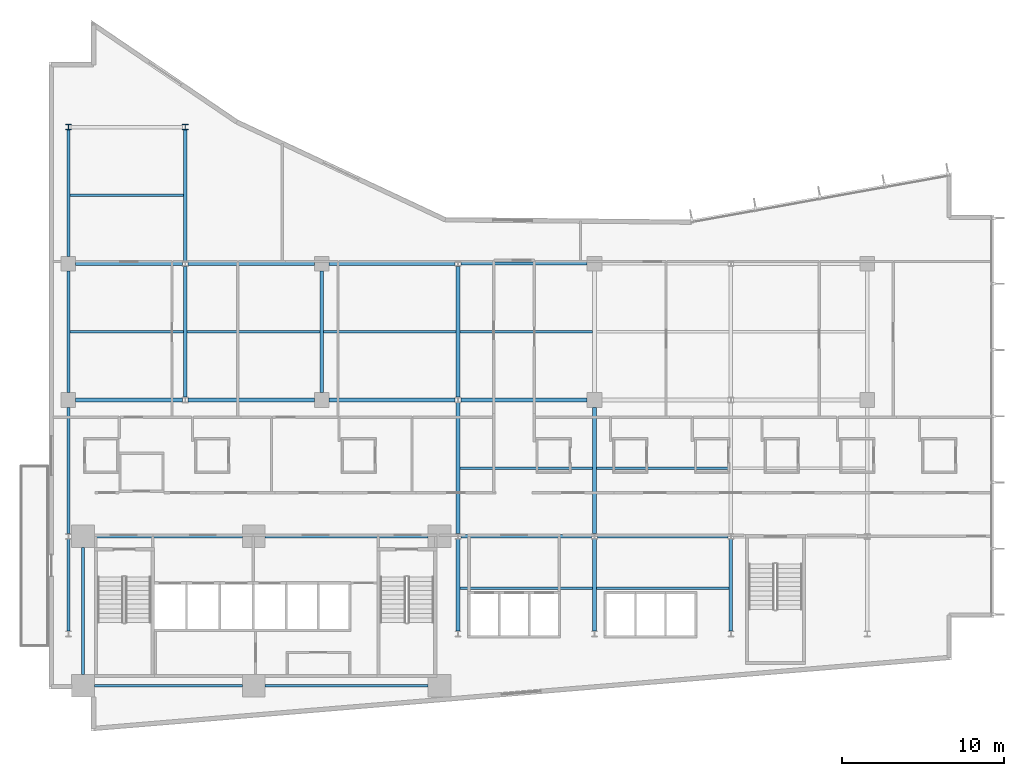
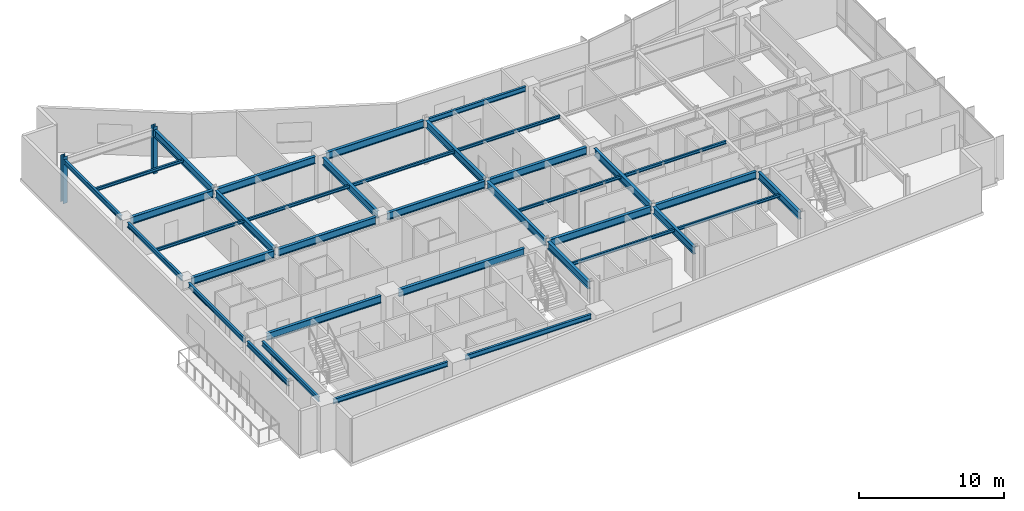
# One storey, part 3 of 20: 37 beams, 2 columns.
"""IFC4 building model written with IfcOpenShell, lengths in metres."""

from ifc_helpers import new_model, si_unit, direction, frame, origin, origin_2d, place, context, subcontext, project, spatial, i_section, extrude, material, material_profile, profile_set, type_object, element, save


model = new_model("IFC4")

# Units and contexts
model_context = context("Model", 3, precision=1e-05, world=origin(), true_north=direction((0.0, 1.0)))
body_context = subcontext(model_context, "Body", "Model", "MODEL_VIEW")
ifc_project = project(units=[si_unit("LENGTHUNIT", "METRE"), si_unit("AREAUNIT", "SQUARE_METRE"), si_unit("VOLUMEUNIT", "CUBIC_METRE"), si_unit("PLANEANGLEUNIT", "RADIAN"), si_unit("MASSUNIT", "GRAM", prefix="KILO")], contexts=[model_context])

# Site, building, storey
site_placement = place(None, origin())
site = spatial("IfcSite", under=ifc_project, at=site_placement, CompositionType="ELEMENT")
building_placement = place(site_placement, origin())
building = spatial("IfcBuilding", under=site, at=building_placement, Name="Varnakote Quay Hospital", CompositionType="ELEMENT")
storey_placement = place(building_placement, frame((0.0, 0.0, 58.050048828125)))
storey = spatial("IfcBuildingStorey", under=building, at=storey_placement, Name="L14", CompositionType="ELEMENT", Elevation=58.050048828125)

# Columns
ifc_material_1 = material(Name="Structural steel AS/NZS 3678 Grade 350 (fy 340 MPa)", Category="steel")
ifc_material_profile_1 = material_profile(ifc_material_1, i_section(OverallWidth=0.35009765625, OverallDepth=0.340087890625, WebThickness=0.01611328125, FlangeThickness=0.028076171875, at=origin_2d()), Name="350WC197")
ifc_profile_set_1 = profile_set([ifc_material_profile_1], Name="Structural steel AS/NZS 3678 Grade 350 (fy 340 MPa)")
column_type = type_object("IfcColumnType", Name="COL-STL-350WC197", PredefinedType="COLUMN", material=ifc_profile_set_1)
for number, where, z_axis, x_axis, name in (
    (1, (1.199951171875, 37.199951171875, 0.0), (0.0, 0.0, 1.0), (1.0, 0.0, 0.0), "L14 Structural Column C-1-37"),
    (2, (8.39990234375, 37.199951171875, 0.0), (0.0, 0.0, 1.0), (1.0, 0.0, 0.0), "L14 Structural Column C-8-37"),
):
    element("IfcColumn", number, at=place(storey_placement, frame(where, z_axis=z_axis, x_axis=x_axis)), inside=storey, type_object=column_type, Name=name, PredefinedType="COLUMN", context=body_context, shape_type="SweptSolid", body=[
        extrude(i_section(OverallWidth=0.35009765625, OverallDepth=0.340087890625, WebThickness=0.01611328125, FlangeThickness=0.028076171875, at=origin_2d()), origin(), (0.0, 0.0, 1.0), 3.949951171875),
    ])

# Beams
ifc_material_2 = material(Name="Structural steel AS/NZS 3679.1 Grade 350 L0 (fy 340 MPa)", Category="steel")
ifc_material_profile_2 = material_profile(ifc_material_2, i_section(OverallWidth=0.22900390625, OverallDepth=0.612060546875, WebThickness=0.011962890625, FlangeThickness=0.01953125, FilletRadius=0.013916015625, at=origin_2d()), Name="610UB125")
ifc_profile_set_2 = profile_set([ifc_material_profile_2], Name="Structural steel AS/NZS 3679.1 Grade 350 L0 (fy 340 MPa)")
beam_type_1 = type_object("IfcBeamType", Name="BM-STL-610UB125", PredefinedType="BEAM", material=ifc_profile_set_2)
beam_1_placement = place(storey_placement, frame((2.800048828125, 12.0, 3.404052734375), z_axis=(1.0, 0.0, 0.0), x_axis=(0.0, 1.0, 0.0)))
element("IfcBeam", 3, at=beam_1_placement, inside=storey, type_object=beam_type_1, Name="L14 Primary Floor Beam", PredefinedType="BEAM", context=body_context, shape_type="SweptSolid", body=[
    extrude(i_section(OverallWidth=0.22900390625, OverallDepth=0.612060546875, WebThickness=0.011962890625, FlangeThickness=0.01953125, FilletRadius=0.013916015625, at=origin_2d()), origin(), (0.0, 0.0, 1.0), 9.119873046875),
])
beam_2_placement = place(storey_placement, frame((13.320068359375, 12.0, 3.404052734375), z_axis=(1.0, 0.0, 0.0), x_axis=(0.0, 1.0, 0.0)))
element("IfcBeam", 4, at=beam_2_placement, inside=storey, type_object=beam_type_1, Name="L14 Primary Floor Beam", PredefinedType="BEAM", context=body_context, shape_type="SweptSolid", body=[
    extrude(i_section(OverallWidth=0.22900390625, OverallDepth=0.612060546875, WebThickness=0.011962890625, FlangeThickness=0.01953125, FilletRadius=0.013916015625, at=origin_2d()), origin(), (0.0, 0.0, 1.0), 10.030029296875),
])
for number, where, z_axis, x_axis, name in (
    (5, (25.375, 12.0, 3.404052734375), (1.0, 0.0, 0.0), (0.0, 1.0, 0.0), "L14 Primary Floor Beam"),
    (6, (33.77490234375, 12.0, 3.404052734375), (1.0, 0.0, 0.0), (0.0, 1.0, 0.0), "L14 Primary Floor Beam"),
):
    element("IfcBeam", number, at=place(storey_placement, frame(where, z_axis=z_axis, x_axis=x_axis)), inside=storey, type_object=beam_type_1, Name=name, PredefinedType="BEAM", context=body_context, shape_type="SweptSolid", body=[
        extrude(i_section(OverallWidth=0.22900390625, OverallDepth=0.612060546875, WebThickness=0.011962890625, FlangeThickness=0.01953125, FilletRadius=0.013916015625, at=origin_2d()), origin(), (0.0, 0.0, 1.0), 8.050048828125),
    ])
beam_3_placement = place(storey_placement, frame((1.64990234375, 20.39990234375, 3.404052734375), z_axis=(1.0, 0.0, 0.0), x_axis=(0.0, 1.0, 0.0)))
element("IfcBeam", 7, at=beam_3_placement, inside=storey, type_object=beam_type_1, Name="L14 Primary Floor Beam", PredefinedType="BEAM", context=body_context, shape_type="SweptSolid", body=[
    extrude(i_section(OverallWidth=0.22900390625, OverallDepth=0.612060546875, WebThickness=0.011962890625, FlangeThickness=0.01953125, FilletRadius=0.013916015625, at=origin_2d()), origin(), (0.0, 0.0, 1.0), 6.5751953125),
])
beam_4_placement = place(storey_placement, frame((8.574951171875, 20.39990234375, 3.404052734375), z_axis=(1.0, 0.0, 0.0), x_axis=(0.0, 1.0, 0.0)))
element("IfcBeam", 8, at=beam_4_placement, inside=storey, type_object=beam_type_1, Name="L14 Primary Floor Beam", PredefinedType="BEAM", context=body_context, shape_type="SweptSolid", body=[
    extrude(i_section(OverallWidth=0.22900390625, OverallDepth=0.612060546875, WebThickness=0.011962890625, FlangeThickness=0.01953125, FilletRadius=0.013916015625, at=origin_2d()), origin(), (0.0, 0.0, 1.0), 7.775146484375),
])
for number, where, z_axis, x_axis, name in (
    (9, (17.25, 20.39990234375, 3.404052734375), (1.0, 0.0, 0.0), (0.0, 1.0, 0.0), "L14 Primary Floor Beam"),
    (10, (25.375, 20.39990234375, 3.404052734375), (1.0, 0.0, 0.0), (0.0, 1.0, 0.0), "L14 Primary Floor Beam"),
):
    element("IfcBeam", number, at=place(storey_placement, frame(where, z_axis=z_axis, x_axis=x_axis)), inside=storey, type_object=beam_type_1, Name=name, PredefinedType="BEAM", context=body_context, shape_type="SweptSolid", body=[
        extrude(i_section(OverallWidth=0.22900390625, OverallDepth=0.612060546875, WebThickness=0.011962890625, FlangeThickness=0.01953125, FilletRadius=0.013916015625, at=origin_2d()), origin(), (0.0, 0.0, 1.0), 7.77490234375),
    ])
beam_5_placement = place(storey_placement, frame((1.64990234375, 28.800048828125, 3.404052734375), z_axis=(1.0, 0.0, 0.0), x_axis=(0.0, 1.0, 0.0)))
element("IfcBeam", 11, at=beam_5_placement, inside=storey, type_object=beam_type_1, Name="L14 Primary Floor Beam", PredefinedType="BEAM", context=body_context, shape_type="SweptSolid", body=[
    extrude(i_section(OverallWidth=0.22900390625, OverallDepth=0.612060546875, WebThickness=0.011962890625, FlangeThickness=0.01953125, FilletRadius=0.013916015625, at=origin_2d()), origin(), (0.0, 0.0, 1.0), 6.5751953125),
])
beam_6_placement = place(storey_placement, frame((8.574951171875, 28.800048828125, 3.404052734375), z_axis=(1.0, 0.0, 0.0), x_axis=(0.0, 1.0, 0.0)))
element("IfcBeam", 12, at=beam_6_placement, inside=storey, type_object=beam_type_1, Name="L14 Primary Floor Beam", PredefinedType="BEAM", context=body_context, shape_type="SweptSolid", body=[
    extrude(i_section(OverallWidth=0.22900390625, OverallDepth=0.612060546875, WebThickness=0.011962890625, FlangeThickness=0.01953125, FilletRadius=0.013916015625, at=origin_2d()), origin(), (0.0, 0.0, 1.0), 7.775146484375),
])
beam_7_placement = place(storey_placement, frame((17.25, 28.800048828125, 3.404052734375), z_axis=(1.0, 0.0, 0.0), x_axis=(0.0, 1.0, 0.0)))
element("IfcBeam", 13, at=beam_7_placement, inside=storey, type_object=beam_type_1, Name="L14 Primary Floor Beam", PredefinedType="BEAM", context=body_context, shape_type="SweptSolid", body=[
    extrude(i_section(OverallWidth=0.22900390625, OverallDepth=0.612060546875, WebThickness=0.011962890625, FlangeThickness=0.01953125, FilletRadius=0.013916015625, at=origin_2d()), origin(), (0.0, 0.0, 1.0), 7.77490234375),
])
beam_8_placement = place(storey_placement, frame((8.39990234375, 20.570068359375, 3.404052734375), z_axis=(0.0, 1.0, 0.0), x_axis=(-1.0, 0.0, 0.0)))
element("IfcBeam", 14, at=beam_8_placement, inside=storey, type_object=beam_type_1, Name="L14 Primary Tie Beam", PredefinedType="BEAM", context=body_context, shape_type="SweptSolid", body=[
    extrude(i_section(OverallWidth=0.22900390625, OverallDepth=0.612060546875, WebThickness=0.011962890625, FlangeThickness=0.01953125, FilletRadius=0.013916015625, at=origin_2d()), origin(), (0.0, 0.0, 1.0), 8.059814453125),
])
beam_9_placement = place(storey_placement, frame((8.39990234375, 28.969970703125, 3.404052734375), z_axis=(0.0, 1.0, 0.0), x_axis=(-1.0, 0.0, 0.0)))
element("IfcBeam", 15, at=beam_9_placement, inside=storey, type_object=beam_type_1, Name="L14 Primary Tie Beam", PredefinedType="BEAM", context=body_context, shape_type="SweptSolid", body=[
    extrude(i_section(OverallWidth=0.22900390625, OverallDepth=0.612060546875, WebThickness=0.011962890625, FlangeThickness=0.01953125, FilletRadius=0.013916015625, at=origin_2d()), origin(), (0.0, 0.0, 1.0), 8.06005859375),
])
beam_10_placement = place(storey_placement, frame((16.800048828125, 20.85009765625, 3.404052734375), z_axis=(0.0, 1.0, 0.0), x_axis=(-1.0, 0.0, 0.0)))
element("IfcBeam", 16, at=beam_10_placement, inside=storey, type_object=beam_type_1, Name="L14 Primary Tie Beam", PredefinedType="BEAM", context=body_context, shape_type="SweptSolid", body=[
    extrude(i_section(OverallWidth=0.22900390625, OverallDepth=0.612060546875, WebThickness=0.011962890625, FlangeThickness=0.01953125, FilletRadius=0.013916015625, at=origin_2d()), origin(), (0.0, 0.0, 1.0), 7.5),
])
beam_11_placement = place(storey_placement, frame((25.199951171875, 6.169921875, 3.404052734375), z_axis=(0.0, 1.0, 0.0), x_axis=(-1.0, 0.0, 0.0)))
element("IfcBeam", 17, at=beam_11_placement, inside=storey, type_object=beam_type_1, Name="L14 Primary Tie Beam", PredefinedType="BEAM", context=body_context, shape_type="SweptSolid", body=[
    extrude(i_section(OverallWidth=0.22900390625, OverallDepth=0.612060546875, WebThickness=0.011962890625, FlangeThickness=0.01953125, FilletRadius=0.013916015625, at=origin_2d()), origin(), (0.0, 0.0, 1.0), 5.66015625),
])
beam_12_placement = place(storey_placement, frame((25.199951171875, 12.169921875, 3.404052734375), z_axis=(0.0, 1.0, 0.0), x_axis=(-1.0, 0.0, 0.0)))
element("IfcBeam", 18, at=beam_12_placement, inside=storey, type_object=beam_type_1, Name="L14 Primary Tie Beam", PredefinedType="BEAM", context=body_context, shape_type="SweptSolid", body=[
    extrude(i_section(OverallWidth=0.22900390625, OverallDepth=0.612060546875, WebThickness=0.011962890625, FlangeThickness=0.01953125, FilletRadius=0.013916015625, at=origin_2d()), origin(), (0.0, 0.0, 1.0), 8.06005859375),
])
beam_13_placement = place(storey_placement, frame((25.199951171875, 20.570068359375, 3.404052734375), z_axis=(0.0, 1.0, 0.0), x_axis=(-1.0, 0.0, 0.0)))
element("IfcBeam", 19, at=beam_13_placement, inside=storey, type_object=beam_type_1, Name="L14 Primary Tie Beam", PredefinedType="BEAM", context=body_context, shape_type="SweptSolid", body=[
    extrude(i_section(OverallWidth=0.22900390625, OverallDepth=0.612060546875, WebThickness=0.011962890625, FlangeThickness=0.01953125, FilletRadius=0.013916015625, at=origin_2d()), origin(), (0.0, 0.0, 1.0), 8.059814453125),
])
beam_14_placement = place(storey_placement, frame((33.60009765625, 6.169921875, 3.404052734375), z_axis=(0.0, 1.0, 0.0), x_axis=(-1.0, 0.0, 0.0)))
element("IfcBeam", 20, at=beam_14_placement, inside=storey, type_object=beam_type_1, Name="L14 Primary Tie Beam", PredefinedType="BEAM", context=body_context, shape_type="SweptSolid", body=[
    extrude(i_section(OverallWidth=0.22900390625, OverallDepth=0.612060546875, WebThickness=0.011962890625, FlangeThickness=0.01953125, FilletRadius=0.013916015625, at=origin_2d()), origin(), (0.0, 0.0, 1.0), 5.66015625),
])
beam_15_placement = place(storey_placement, frame((33.60009765625, 12.169921875, 3.404052734375), z_axis=(0.0, 1.0, 0.0), x_axis=(-1.0, 0.0, 0.0)))
element("IfcBeam", 21, at=beam_15_placement, inside=storey, type_object=beam_type_1, Name="L14 Primary Tie Beam", PredefinedType="BEAM", context=body_context, shape_type="SweptSolid", body=[
    extrude(i_section(OverallWidth=0.22900390625, OverallDepth=0.612060546875, WebThickness=0.011962890625, FlangeThickness=0.01953125, FilletRadius=0.013916015625, at=origin_2d()), origin(), (0.0, 0.0, 1.0), 7.780029296875),
])
beam_16_placement = place(storey_placement, frame((42.0, 6.169921875, 3.404052734375), z_axis=(0.0, 1.0, 0.0), x_axis=(-1.0, 0.0, 0.0)))
element("IfcBeam", 22, at=beam_16_placement, inside=storey, type_object=beam_type_1, Name="L14 Primary Tie Beam", PredefinedType="BEAM", context=body_context, shape_type="SweptSolid", body=[
    extrude(i_section(OverallWidth=0.22900390625, OverallDepth=0.612060546875, WebThickness=0.011962890625, FlangeThickness=0.01953125, FilletRadius=0.013916015625, at=origin_2d()), origin(), (0.0, 0.0, 1.0), 5.66015625),
])
ifc_material_3 = material(Name="Structural steel AS/NZS 3679.1 Grade 350 L0 (fy 340 MPa)", Category="steel")
ifc_material_profile_3 = material_profile(ifc_material_3, i_section(OverallWidth=0.14599609375, OverallDepth=0.256103515625, WebThickness=0.00634765625, FlangeThickness=0.010986328125, FilletRadius=0.0087890625, at=origin_2d()), Name="250UB37.3")
ifc_profile_set_3 = profile_set([ifc_material_profile_3], Name="Structural steel AS/NZS 3679.1 Grade 350 L0 (fy 340 MPa)")
beam_type_2 = type_object("IfcBeamType", Name="JST-STL-250UB37-3", PredefinedType="JOIST", material=ifc_profile_set_3)
beam_17_placement = place(storey_placement, frame((25.314453125, 8.800048828125, 3.58203125), z_axis=(1.0, 0.0, 0.0), x_axis=(0.0, 1.0, 0.0)))
element("IfcBeam", 23, at=beam_17_placement, inside=storey, type_object=beam_type_2, Name="L14 Composite Floor Joist", PredefinedType="JOIST", context=body_context, shape_type="SweptSolid", body=[
    extrude(i_section(OverallWidth=0.14599609375, OverallDepth=0.256103515625, WebThickness=0.00634765625, FlangeThickness=0.010986328125, FilletRadius=0.0087890625, at=origin_2d()), origin(), (0.0, 0.0, 1.0), 8.171142578125),
])
beam_18_placement = place(storey_placement, frame((33.714599609375, 8.800048828125, 3.58203125), z_axis=(1.0, 0.0, 0.0), x_axis=(0.0, 1.0, 0.0)))
element("IfcBeam", 24, at=beam_18_placement, inside=storey, type_object=beam_type_2, Name="L14 Composite Floor Joist", PredefinedType="JOIST", context=body_context, shape_type="SweptSolid", body=[
    extrude(i_section(OverallWidth=0.14599609375, OverallDepth=0.256103515625, WebThickness=0.00634765625, FlangeThickness=0.010986328125, FilletRadius=0.0087890625, at=origin_2d()), origin(), (0.0, 0.0, 1.0), 8.1708984375),
])
beam_19_placement = place(storey_placement, frame((25.314453125, 16.199951171875, 3.58203125), z_axis=(1.0, 0.0, 0.0), x_axis=(0.0, 1.0, 0.0)))
element("IfcBeam", 25, at=beam_19_placement, inside=storey, type_object=beam_type_2, Name="L14 Composite Floor Joist", PredefinedType="JOIST", context=body_context, shape_type="SweptSolid", body=[
    extrude(i_section(OverallWidth=0.14599609375, OverallDepth=0.256103515625, WebThickness=0.00634765625, FlangeThickness=0.010986328125, FilletRadius=0.0087890625, at=origin_2d()), origin(), (0.0, 0.0, 1.0), 8.171142578125),
])
beam_20_placement = place(storey_placement, frame((33.714599609375, 16.199951171875, 3.58203125), z_axis=(1.0, 0.0, 0.0), x_axis=(0.0, 1.0, 0.0)))
element("IfcBeam", 26, at=beam_20_placement, inside=storey, type_object=beam_type_2, Name="L14 Composite Floor Joist", PredefinedType="JOIST", context=body_context, shape_type="SweptSolid", body=[
    extrude(i_section(OverallWidth=0.14599609375, OverallDepth=0.256103515625, WebThickness=0.00634765625, FlangeThickness=0.010986328125, FilletRadius=0.0087890625, at=origin_2d()), origin(), (0.0, 0.0, 1.0), 8.1708984375),
])
beam_21_placement = place(storey_placement, frame((1.2890625, 24.60009765625, 3.58203125), z_axis=(1.0, 0.0, 0.0), x_axis=(0.0, 1.0, 0.0)))
element("IfcBeam", 27, at=beam_21_placement, inside=storey, type_object=beam_type_2, Name="L14 Composite Floor Joist", PredefinedType="JOIST", context=body_context, shape_type="SweptSolid", body=[
    extrude(i_section(OverallWidth=0.14599609375, OverallDepth=0.256103515625, WebThickness=0.00634765625, FlangeThickness=0.010986328125, FilletRadius=0.0087890625, at=origin_2d()), origin(), (0.0, 0.0, 1.0), 6.996337890625),
])
beam_22_placement = place(storey_placement, frame((8.514404296875, 24.60009765625, 3.58203125), z_axis=(1.0, 0.0, 0.0), x_axis=(0.0, 1.0, 0.0)))
element("IfcBeam", 28, at=beam_22_placement, inside=storey, type_object=beam_type_2, Name="L14 Composite Floor Joist", PredefinedType="JOIST", context=body_context, shape_type="SweptSolid", body=[
    extrude(i_section(OverallWidth=0.14599609375, OverallDepth=0.256103515625, WebThickness=0.00634765625, FlangeThickness=0.010986328125, FilletRadius=0.0087890625, at=origin_2d()), origin(), (0.0, 0.0, 1.0), 8.171142578125),
])
beam_23_placement = place(storey_placement, frame((16.91455078125, 24.60009765625, 3.58203125), z_axis=(1.0, 0.0, 0.0), x_axis=(0.0, 1.0, 0.0)))
element("IfcBeam", 29, at=beam_23_placement, inside=storey, type_object=beam_type_2, Name="L14 Composite Floor Joist", PredefinedType="JOIST", context=body_context, shape_type="SweptSolid", body=[
    extrude(i_section(OverallWidth=0.14599609375, OverallDepth=0.256103515625, WebThickness=0.00634765625, FlangeThickness=0.010986328125, FilletRadius=0.0087890625, at=origin_2d()), origin(), (0.0, 0.0, 1.0), 8.1708984375),
])
beam_24_placement = place(storey_placement, frame((25.314453125, 24.60009765625, 3.58203125), z_axis=(1.0, 0.0, 0.0), x_axis=(0.0, 1.0, 0.0)))
element("IfcBeam", 30, at=beam_24_placement, inside=storey, type_object=beam_type_2, Name="L14 Composite Floor Joist", PredefinedType="JOIST", context=body_context, shape_type="SweptSolid", body=[
    extrude(i_section(OverallWidth=0.14599609375, OverallDepth=0.256103515625, WebThickness=0.00634765625, FlangeThickness=0.010986328125, FilletRadius=0.0087890625, at=origin_2d()), origin(), (0.0, 0.0, 1.0), 8.171142578125),
])
beam_25_placement = place(storey_placement, frame((1.2890625, 33.0, 3.58203125), z_axis=(1.0, 0.0, 0.0), x_axis=(0.0, 1.0, 0.0)))
element("IfcBeam", 31, at=beam_25_placement, inside=storey, type_object=beam_type_2, Name="L14 Composite Floor Joist", PredefinedType="JOIST", context=body_context, shape_type="SweptSolid", body=[
    extrude(i_section(OverallWidth=0.14599609375, OverallDepth=0.256103515625, WebThickness=0.00634765625, FlangeThickness=0.010986328125, FilletRadius=0.0087890625, at=origin_2d()), origin(), (0.0, 0.0, 1.0), 6.996337890625),
])
ifc_material_4 = material(Name="Structural steel AS/NZS 3679.1 Grade 350 L0 (fy 340 MPa)", Category="steel")
ifc_material_profile_4 = material_profile(ifc_material_4, i_section(OverallWidth=0.177978515625, OverallDepth=0.403076171875, WebThickness=0.007568359375, FlangeThickness=0.010986328125, FilletRadius=0.011474609375, at=origin_2d()), Name="410UB53.7")
ifc_profile_set_4 = profile_set([ifc_material_profile_4], Name="Structural steel AS/NZS 3679.1 Grade 350 L0 (fy 340 MPa)")
beam_type_3 = type_object("IfcBeamType", Name="SPN-STL-410UB53-7", PredefinedType="SPANDREL", material=ifc_profile_set_4)
beam_26_placement = place(storey_placement, frame((1.199951171875, 6.169921875, 3.508544921875), z_axis=(0.0, 1.0, 0.0), x_axis=(-1.0, 0.0, 0.0)))
element("IfcBeam", 32, at=beam_26_placement, inside=storey, type_object=beam_type_3, Name="L14 Perimeter Spandrel Beam", PredefinedType="SPANDREL", context=body_context, shape_type="SweptSolid", body=[
    extrude(i_section(OverallWidth=0.177978515625, OverallDepth=0.403076171875, WebThickness=0.007568359375, FlangeThickness=0.010986328125, FilletRadius=0.011474609375, at=origin_2d()), origin(), (0.0, 0.0, 1.0), 5.66015625),
])
beam_27_placement = place(storey_placement, frame((1.199951171875, 12.169921875, 3.508544921875), z_axis=(0.0, 1.0, 0.0), x_axis=(-1.0, 0.0, 0.0)))
element("IfcBeam", 33, at=beam_27_placement, inside=storey, type_object=beam_type_3, Name="L14 Perimeter Spandrel Beam", PredefinedType="SPANDREL", context=body_context, shape_type="SweptSolid", body=[
    extrude(i_section(OverallWidth=0.177978515625, OverallDepth=0.403076171875, WebThickness=0.007568359375, FlangeThickness=0.010986328125, FilletRadius=0.011474609375, at=origin_2d()), origin(), (0.0, 0.0, 1.0), 7.780029296875),
])
beam_28_placement = place(storey_placement, frame((1.199951171875, 20.85009765625, 3.508544921875), z_axis=(0.0, 1.0, 0.0), x_axis=(-1.0, 0.0, 0.0)))
element("IfcBeam", 34, at=beam_28_placement, inside=storey, type_object=beam_type_3, Name="L14 Perimeter Spandrel Beam", PredefinedType="SPANDREL", context=body_context, shape_type="SweptSolid", body=[
    extrude(i_section(OverallWidth=0.177978515625, OverallDepth=0.403076171875, WebThickness=0.007568359375, FlangeThickness=0.010986328125, FilletRadius=0.011474609375, at=origin_2d()), origin(), (0.0, 0.0, 1.0), 7.5),
])
beam_29_placement = place(storey_placement, frame((1.199951171875, 29.25, 3.508544921875), z_axis=(0.0, 1.0, 0.0), x_axis=(-1.0, 0.0, 0.0)))
element("IfcBeam", 35, at=beam_29_placement, inside=storey, type_object=beam_type_3, Name="L14 Perimeter Spandrel Beam", PredefinedType="SPANDREL", context=body_context, shape_type="SweptSolid", body=[
    extrude(i_section(OverallWidth=0.177978515625, OverallDepth=0.403076171875, WebThickness=0.007568359375, FlangeThickness=0.010986328125, FilletRadius=0.011474609375, at=origin_2d()), origin(), (0.0, 0.0, 1.0), 7.780029296875),
])
beam_30_placement = place(storey_placement, frame((2.10009765625, 3.5, 3.508544921875), z_axis=(0.0, 1.0, 0.0), x_axis=(-1.0, 0.0, 0.0)))
element("IfcBeam", 36, at=beam_30_placement, inside=storey, type_object=beam_type_3, Name="L14 Perimeter Spandrel Beam", PredefinedType="SPANDREL", context=body_context, shape_type="SweptSolid", body=[
    extrude(i_section(OverallWidth=0.177978515625, OverallDepth=0.403076171875, WebThickness=0.007568359375, FlangeThickness=0.010986328125, FilletRadius=0.011474609375, at=origin_2d()), origin(), (0.0, 0.0, 1.0), 7.800048828125),
])
ifc_material_5 = material(Name="Structural steel AS/NZS 3679.1 Grade 350 L0 (fy 340 MPa)", Category="steel")
ifc_material_profile_5 = material_profile(ifc_material_5, i_section(OverallWidth=0.177978515625, OverallDepth=0.406005859375, WebThickness=0.0078125, FlangeThickness=0.0126953125, FilletRadius=0.011474609375, at=origin_2d()), Name="410UB59.7")
ifc_profile_set_5 = profile_set([ifc_material_profile_5], Name="Structural steel AS/NZS 3679.1 Grade 350 L0 (fy 340 MPa)")
beam_type_4 = type_object("IfcBeamType", Name="SPN-STL-410UB59-7", PredefinedType="SPANDREL", material=ifc_profile_set_5)
beam_31_placement = place(storey_placement, frame((2.800048828125, 2.800048828125, 3.5068359375), z_axis=(1.0, 0.0, 0.0), x_axis=(0.0, 1.0, 0.0)))
element("IfcBeam", 37, at=beam_31_placement, inside=storey, type_object=beam_type_4, Name="L14 Perimeter Spandrel Beam", PredefinedType="SPANDREL", context=body_context, shape_type="SweptSolid", body=[
    extrude(i_section(OverallWidth=0.177978515625, OverallDepth=0.406005859375, WebThickness=0.0078125, FlangeThickness=0.0126953125, FilletRadius=0.011474609375, at=origin_2d()), origin(), (0.0, 0.0, 1.0), 9.119873046875),
])
beam_32_placement = place(storey_placement, frame((13.320068359375, 2.800048828125, 3.5068359375), z_axis=(1.0, 0.0, 0.0), x_axis=(0.0, 1.0, 0.0)))
element("IfcBeam", 38, at=beam_32_placement, inside=storey, type_object=beam_type_4, Name="L14 Perimeter Spandrel Beam", PredefinedType="SPANDREL", context=body_context, shape_type="SweptSolid", body=[
    extrude(i_section(OverallWidth=0.177978515625, OverallDepth=0.406005859375, WebThickness=0.0078125, FlangeThickness=0.0126953125, FilletRadius=0.011474609375, at=origin_2d()), origin(), (0.0, 0.0, 1.0), 10.030029296875),
])
beam_33_placement = place(storey_placement, frame((25.375, 28.800048828125, 3.5068359375), z_axis=(1.0, 0.0, 0.0), x_axis=(0.0, 1.0, 0.0)))
element("IfcBeam", 39, at=beam_33_placement, inside=storey, type_object=beam_type_4, Name="L14 Perimeter Spandrel Beam", PredefinedType="SPANDREL", context=body_context, shape_type="SweptSolid", body=[
    extrude(i_section(OverallWidth=0.177978515625, OverallDepth=0.406005859375, WebThickness=0.0078125, FlangeThickness=0.0126953125, FilletRadius=0.011474609375, at=origin_2d()), origin(), (0.0, 0.0, 1.0), 7.77490234375),
])

save(model, "model.ifc")
